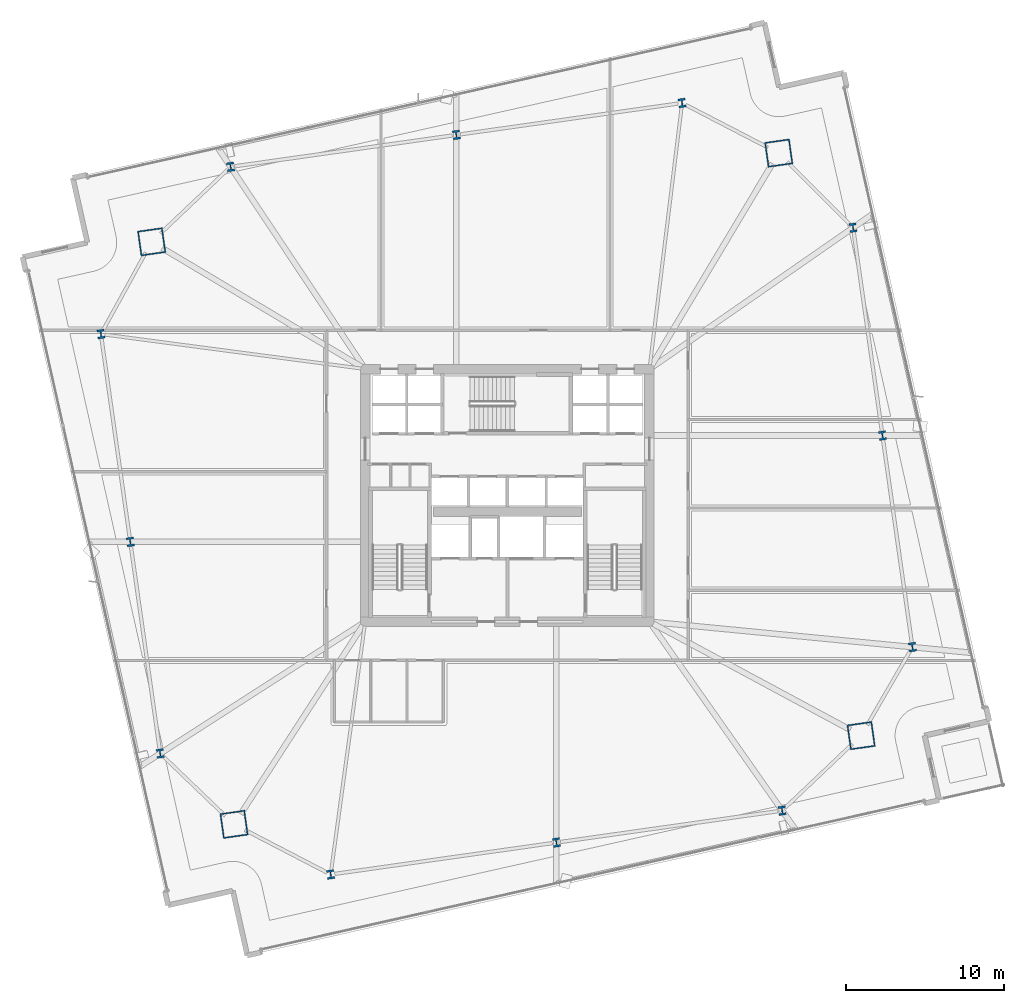
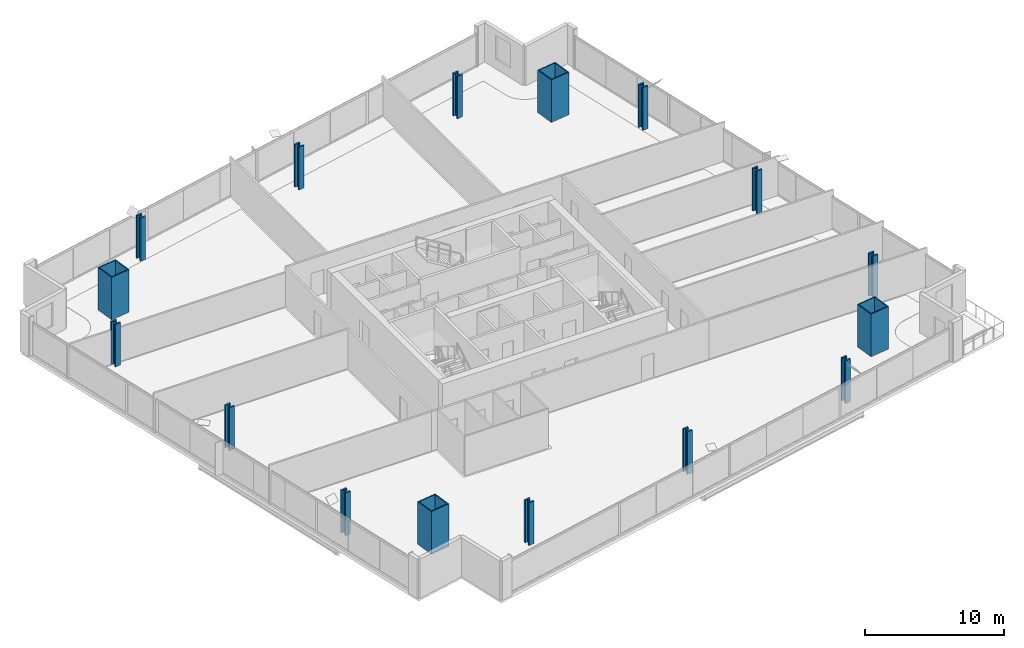
# One storey, part 1 of 32: 16 columns.
"""IFC4 building model written with IfcOpenShell, lengths in metres."""

from ifc_helpers import new_model, si_unit, direction, frame, origin, origin_2d, place, context, subcontext, project, spatial, hollow_rectangle, i_section, extrude, material, material_profile, profile_set, type_object, element, save


model = new_model("IFC4")

# Units and contexts
model_context = context("Model", 3, precision=1e-05, world=origin(), true_north=direction((0.0, 1.0)))
body_context = subcontext(model_context, "Body", "Model", "MODEL_VIEW")
ifc_project = project(units=[si_unit("LENGTHUNIT", "METRE"), si_unit("AREAUNIT", "SQUARE_METRE"), si_unit("VOLUMEUNIT", "CUBIC_METRE"), si_unit("PLANEANGLEUNIT", "RADIAN"), si_unit("MASSUNIT", "GRAM", prefix="KILO")], contexts=[model_context])

# Site, building, storey
site_placement = place(None, origin())
site = spatial("IfcSite", under=ifc_project, at=site_placement, CompositionType="ELEMENT")
building_placement = place(site_placement, origin())
building = spatial("IfcBuilding", under=site, at=building_placement, Name="Haldenkirk Collegiate Tower", CompositionType="ELEMENT")
storey_placement = place(building_placement, frame((0.0, 0.0, 70.199951171875)))
storey = spatial("IfcBuildingStorey", under=building, at=storey_placement, Name="L16", CompositionType="ELEMENT", Elevation=70.199951171875)

# Columns
ifc_material_1 = material(Name="Steel ASTM A913 Grade 65", Category="steel")
ifc_material_profile_1 = material_profile(ifc_material_1, i_section(OverallWidth=0.4541015625, OverallDepth=0.569091796875, WebThickness=0.077880859375, FlangeThickness=0.124755859375, at=origin_2d()), Name="W14X730")
ifc_profile_set_1 = profile_set([ifc_material_profile_1], Name="Steel ASTM A913 Grade 65")
column_type_1 = type_object("IfcColumnType", Name="COL-INT-W14X730", PredefinedType="COLUMN", material=ifc_profile_set_1)
for number, where, z_axis, x_axis, name in (
    (1, (24.815185546875, 1.997314453125, 0.0), (0.0, 0.0, 1.0), (0.990146240249, 0.140037219771, 0.0), "L16 perimeter gravity column PC-S1"),
    (2, (39.10888671875, 4.018798828125, 0.0), (0.0, 0.0, 1.0), (0.990146240249, 0.140037219771, 0.0), "L16 perimeter gravity column PC-S2"),
    (3, (53.402587890625, 6.040283203125, 0.0), (0.0, 0.0, 1.0), (0.990146240249, 0.140037219771, 0.0), "L16 perimeter gravity column PC-S3"),
    (4, (61.648193359375, 16.39306640625, 0.0), (0.0, 0.0, 1.0), (0.990146240249, 0.140037219771, 0.0), "L16 perimeter gravity column PC-E1"),
    (5, (59.75341796875, 29.788818359375, 0.0), (0.0, 0.0, 1.0), (0.990146240249, 0.140037219771, 0.0), "L16 perimeter gravity column PC-E2"),
    (6, (57.892333984375, 42.94873046875, 0.0), (0.0, 0.0, 1.0), (0.990146240249, 0.140037219771, 0.0), "L16 perimeter gravity column PC-E3"),
    (7, (47.06591796875, 50.844482421875, 0.0), (0.0, 0.0, 1.0), (0.990146240249, 0.140037219771, 0.0), "L16 perimeter gravity column PC-N1"),
    (8, (32.772216796875, 48.822998046875, 0.0), (0.0, 0.0, 1.0), (0.990146240249, 0.140037219771, 0.0), "L16 perimeter gravity column PC-N2"),
    (9, (18.478515625, 46.80126953125, 0.0), (0.0, 0.0, 1.0), (0.990146240249, 0.140037219771, 0.0), "L16 perimeter gravity column PC-N3"),
    (10, (10.26611328125, 36.212890625, 0.0), (0.0, 0.0, 1.0), (0.990146240249, 0.140037219771, 0.0), "L16 perimeter gravity column PC-W1"),
    (11, (12.12744140625, 23.052978515625, 0.0), (0.0, 0.0, 1.0), (0.990146240249, 0.140037219771, 0.0), "L16 perimeter gravity column PC-W2"),
    (12, (14.02197265625, 9.6572265625, 0.0), (0.0, 0.0, 1.0), (0.990146240249, 0.140037219771, 0.0), "L16 perimeter gravity column PC-W3"),
):
    element("IfcColumn", number, at=place(storey_placement, frame(where, z_axis=z_axis, x_axis=x_axis)), inside=storey, type_object=column_type_1, Name=name, PredefinedType="COLUMN", context=body_context, shape_type="SweptSolid", body=[
        extrude(i_section(OverallWidth=0.4541015625, OverallDepth=0.569091796875, WebThickness=0.077880859375, FlangeThickness=0.124755859375, at=origin_2d()), origin(), (0.0, 0.0, 1.0), 3.75),
    ])
ifc_material_2 = material(Name="Steel ASTM A572 Grade 50", Category="steel")
ifc_material_profile_2 = material_profile(ifc_material_2, hollow_rectangle(XDim=1.60009765625, YDim=1.60009765625, WallThickness=0.080078125, at=origin_2d()), Name="BOX1600X1600X80")
ifc_profile_set_2 = profile_set([ifc_material_profile_2], Name="Steel ASTM A572 Grade 50")
column_type_2 = type_object("IfcColumnType", Name="COL-MEGA-BOX1600X1600X80", PredefinedType="COLUMN", material=ifc_profile_set_2)
for number, where, z_axis, x_axis, name in (
    (13, (18.6962890625, 5.171630859375, 0.0), (0.0, 0.0, 1.0), (0.990146240249, 0.140037219771, 0.0), "L16 corner mega-column MC1"),
    (14, (58.401123046875, 10.787109375, 0.0), (0.0, 0.0, 1.0), (0.990146240249, 0.140037219771, 0.0), "L16 corner mega-column MC2"),
    (15, (53.184814453125, 47.669921875, 0.0), (0.0, 0.0, 1.0), (0.990146240249, 0.140037219771, 0.0), "L16 corner mega-column MC3"),
    (16, (13.47998046875, 42.054443359375, 0.0), (0.0, 0.0, 1.0), (0.990146240249, 0.140037219771, 0.0), "L16 corner mega-column MC4"),
):
    element("IfcColumn", number, at=place(storey_placement, frame(where, z_axis=z_axis, x_axis=x_axis)), inside=storey, type_object=column_type_2, Name=name, PredefinedType="COLUMN", context=body_context, shape_type="SweptSolid", body=[
        extrude(hollow_rectangle(XDim=1.60009765625, YDim=1.60009765625, WallThickness=0.080078125, at=origin_2d()), origin(), (0.0, 0.0, 1.0), 3.75),
    ])

save(model, "model.ifc")
